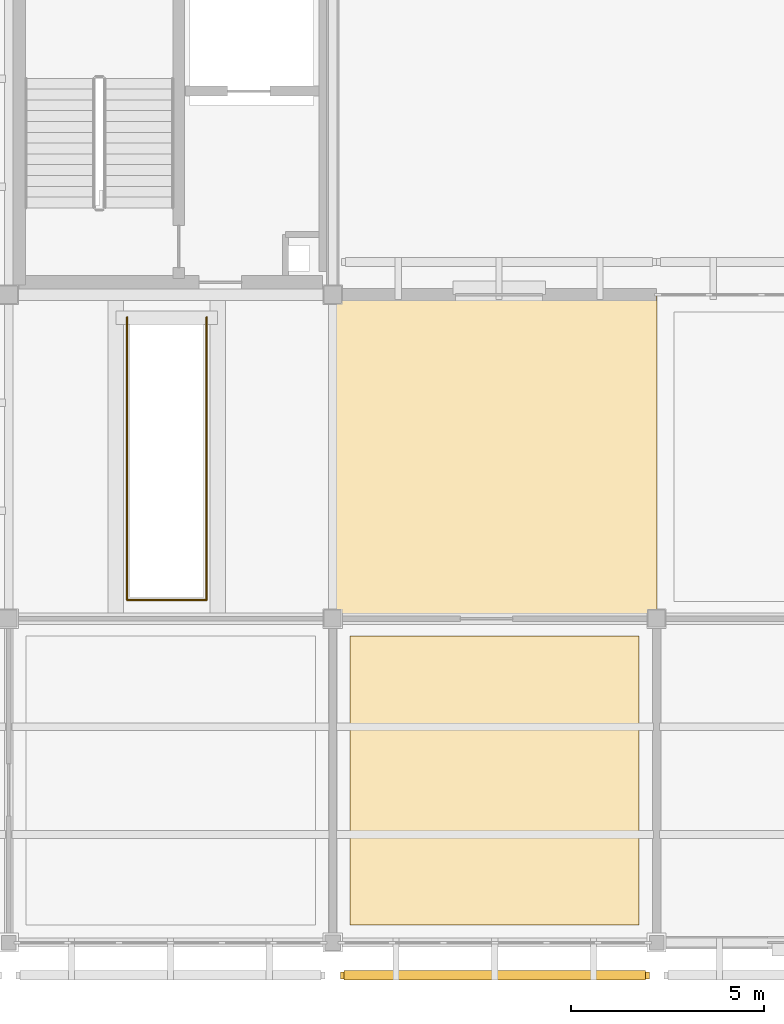
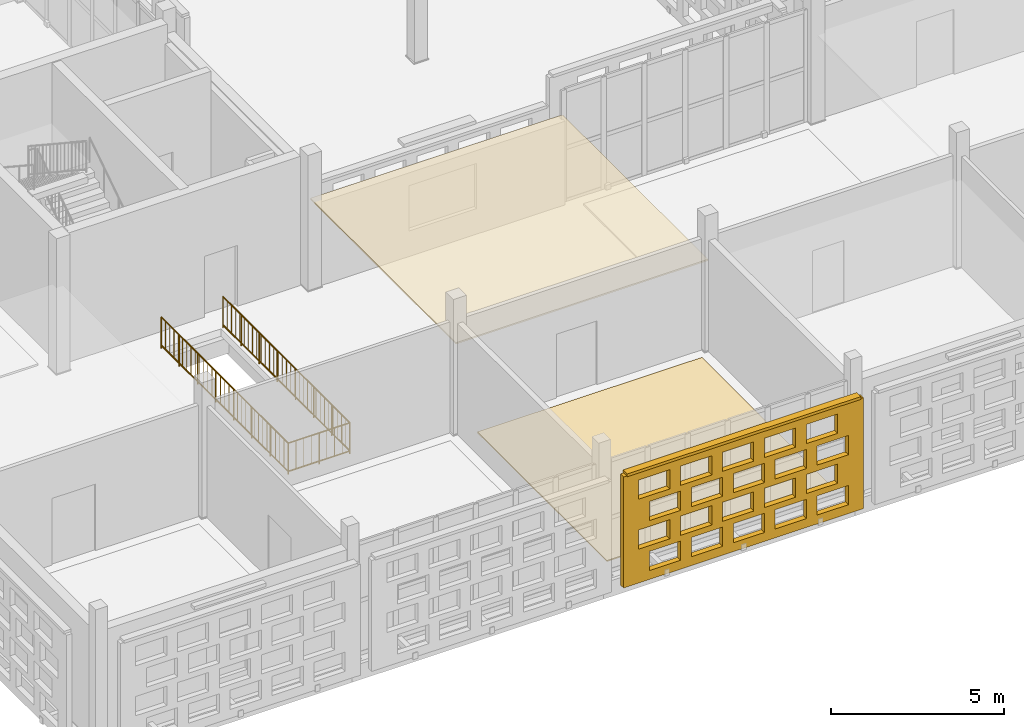
# One storey, part 135 of 203: 3 coverings, 3 railings, 1 shading device, 20 openings.
"""IFC4 building model written with IfcOpenShell, lengths in metres."""

from ifc_helpers import new_model, si_unit, direction, frame, frame_2d, origin, origin_2d, place, context, subcontext, project, spatial, rectangle, circle, extrude, material, layer, layer_set, type_object, element, save


model = new_model("IFC4")

# Units and contexts
model_context = context("Model", 3, precision=1e-05, world=origin(), true_north=direction((0.0, 1.0)))
body_context = subcontext(model_context, "Body", "Model", "MODEL_VIEW")
ifc_project = project(units=[si_unit("LENGTHUNIT", "METRE"), si_unit("AREAUNIT", "SQUARE_METRE"), si_unit("VOLUMEUNIT", "CUBIC_METRE"), si_unit("PLANEANGLEUNIT", "RADIAN"), si_unit("MASSUNIT", "GRAM", prefix="KILO")], contexts=[model_context])

# Site, building, storey
site_placement = place(None, origin())
site = spatial("IfcSite", under=ifc_project, at=site_placement, CompositionType="ELEMENT")
building_placement = place(site_placement, origin())
building = spatial("IfcBuilding", under=site, at=building_placement, Name="Varnapada Polytechnic", CompositionType="ELEMENT")
storey_placement = place(building_placement, frame((0.0, 0.0, 4.800048828125)))
storey = spatial("IfcBuildingStorey", under=building, at=storey_placement, Name="L01", CompositionType="ELEMENT", Elevation=4.800048828125)

# Covering
ifc_material_1 = material(Name="Acoustic Rubber Seminar Flooring")
ifc_layer_1 = layer(ifc_material_1, 0.0400390625)
ifc_layer_set_1 = layer_set([ifc_layer_1], Name="Acoustic Rubber Seminar Flooring")
covering_type_1 = type_object("IfcCoveringType", Name="Floor Finish FLR-06", PredefinedType="FLOORING", material=ifc_layer_set_1)
covering_1_placement = place(storey_placement, frame((29.39990234375, 4.199951171875, 0.0), z_axis=(0.0, 0.0, 1.0), x_axis=(1.0, 0.0, 0.0)))
element("IfcCovering", 1, at=covering_1_placement, inside=storey, type_object=covering_type_1, Name="L01 floor finish panel (4,1)", PredefinedType="FLOORING", context=body_context, shape_type="SweptSolid", body=[
    extrude(rectangle(XDim=7.5, YDim=7.5, at=origin_2d()), origin(), (0.0, 0.0, 1.0), 0.0400390625),
])

# Railings
ifc_material_2 = material(Name="Brushed Stainless Steel 316", Category="steel")
railing_type = type_object("IfcRailingType", Name="Stair Well Guard Rail SGR-01", PredefinedType="BALUSTRADE", material=ifc_material_2)
railing_1_placement = place(storey_placement, frame((19.8701171875, 8.8798828125, 0.0)))
element("IfcRailing", 2, at=railing_1_placement, inside=storey, type_object=railing_type, Name="L01 commons stair ST-F1 well guard 1", PredefinedType="BALUSTRADE", context=body_context, shape_type="SweptSolid", body=[
    extrude(circle(Radius=0.02392578125, at=origin_2d()), frame((0.0, 0.0, 1.09619140625), z_axis=(0.0, 1.0, 0.0), x_axis=(-1.0, 0.0, 0.0)), (0.0, 0.0, 1.0), 7.340087890625),
    extrude(circle(Radius=0.02392578125, at=origin_2d()), frame((0.0, 0.0, 0.10009765625), z_axis=(0.0, 1.0, 0.0), x_axis=(-1.0, 0.0, 0.0)), (0.0, 0.0, 1.0), 7.340087890625),
    extrude(circle(Radius=0.02099609375, at=origin_2d()), origin(), (0.0, 0.0, 1.0), 1.072021484375),
    extrude(circle(Radius=0.02099609375, at=origin_2d()), frame((0.0, 1.048583984375, 0.0)), (0.0, 0.0, 1.0), 1.072021484375),
    extrude(circle(Radius=0.02099609375, at=origin_2d()), frame((0.0, 2.09716796875, 0.0)), (0.0, 0.0, 1.0), 1.072021484375),
    extrude(circle(Radius=0.02099609375, at=origin_2d()), frame((0.0, 3.145751953125, 0.0)), (0.0, 0.0, 1.0), 1.072021484375),
    extrude(circle(Radius=0.02099609375, at=origin_2d()), frame((0.0, 4.1943359375, 0.0)), (0.0, 0.0, 1.0), 1.072021484375),
    extrude(circle(Radius=0.02099609375, at=origin_2d()), frame((0.0, 5.242919921875, 0.0)), (0.0, 0.0, 1.0), 1.072021484375),
    extrude(circle(Radius=0.02099609375, at=origin_2d()), frame((0.0, 6.29150390625, 0.0)), (0.0, 0.0, 1.0), 1.072021484375),
    extrude(circle(Radius=0.02099609375, at=origin_2d()), frame((0.0, 7.340087890625, 0.0)), (0.0, 0.0, 1.0), 1.072021484375),
    extrude(circle(Radius=0.010009765625, at=origin_2d()), frame((0.0, 0.24462890625, 0.10009765625)), (0.0, 0.0, 1.0), 0.971923828125),
    extrude(circle(Radius=0.010009765625, at=origin_2d()), frame((0.0, 0.4892578125, 0.10009765625)), (0.0, 0.0, 1.0), 0.971923828125),
    extrude(circle(Radius=0.010009765625, at=origin_2d()), frame((0.0, 0.73388671875, 0.10009765625)), (0.0, 0.0, 1.0), 0.971923828125),
    extrude(circle(Radius=0.010009765625, at=origin_2d()), frame((0.0, 0.978759765625, 0.10009765625)), (0.0, 0.0, 1.0), 0.971923828125),
    extrude(circle(Radius=0.010009765625, at=origin_2d()), frame((0.0, 1.223388671875, 0.10009765625)), (0.0, 0.0, 1.0), 0.971923828125),
    extrude(circle(Radius=0.010009765625, at=origin_2d()), frame((0.0, 1.468017578125, 0.10009765625)), (0.0, 0.0, 1.0), 0.971923828125),
    extrude(circle(Radius=0.010009765625, at=origin_2d()), frame((0.0, 1.712646484375, 0.10009765625)), (0.0, 0.0, 1.0), 0.971923828125),
    extrude(circle(Radius=0.010009765625, at=origin_2d()), frame((0.0, 1.957275390625, 0.10009765625)), (0.0, 0.0, 1.0), 0.971923828125),
    extrude(circle(Radius=0.010009765625, at=origin_2d()), frame((0.0, 2.2021484375, 0.10009765625)), (0.0, 0.0, 1.0), 0.971923828125),
    extrude(circle(Radius=0.010009765625, at=origin_2d()), frame((0.0, 2.44677734375, 0.10009765625)), (0.0, 0.0, 1.0), 0.971923828125),
    extrude(circle(Radius=0.010009765625, at=origin_2d()), frame((0.0, 2.69140625, 0.10009765625)), (0.0, 0.0, 1.0), 0.971923828125),
    extrude(circle(Radius=0.010009765625, at=origin_2d()), frame((0.0, 2.93603515625, 0.10009765625)), (0.0, 0.0, 1.0), 0.971923828125),
    extrude(circle(Radius=0.010009765625, at=origin_2d()), frame((0.0, 3.1806640625, 0.10009765625)), (0.0, 0.0, 1.0), 0.971923828125),
    extrude(circle(Radius=0.010009765625, at=origin_2d()), frame((0.0, 3.42529296875, 0.10009765625)), (0.0, 0.0, 1.0), 0.971923828125),
    extrude(circle(Radius=0.010009765625, at=origin_2d()), frame((0.0, 3.669921875, 0.10009765625)), (0.0, 0.0, 1.0), 0.971923828125),
    extrude(circle(Radius=0.010009765625, at=origin_2d()), frame((0.0, 3.914794921875, 0.10009765625)), (0.0, 0.0, 1.0), 0.971923828125),
    extrude(circle(Radius=0.010009765625, at=origin_2d()), frame((0.0, 4.159423828125, 0.10009765625)), (0.0, 0.0, 1.0), 0.971923828125),
    extrude(circle(Radius=0.010009765625, at=origin_2d()), frame((0.0, 4.404052734375, 0.10009765625)), (0.0, 0.0, 1.0), 0.971923828125),
    extrude(circle(Radius=0.010009765625, at=origin_2d()), frame((0.0, 4.648681640625, 0.10009765625)), (0.0, 0.0, 1.0), 0.971923828125),
    extrude(circle(Radius=0.010009765625, at=origin_2d()), frame((0.0, 4.893310546875, 0.10009765625)), (0.0, 0.0, 1.0), 0.971923828125),
    extrude(circle(Radius=0.010009765625, at=origin_2d()), frame((0.0, 5.13818359375, 0.10009765625)), (0.0, 0.0, 1.0), 0.971923828125),
    extrude(circle(Radius=0.010009765625, at=origin_2d()), frame((0.0, 5.3828125, 0.10009765625)), (0.0, 0.0, 1.0), 0.971923828125),
    extrude(circle(Radius=0.010009765625, at=origin_2d()), frame((0.0, 5.62744140625, 0.10009765625)), (0.0, 0.0, 1.0), 0.971923828125),
    extrude(circle(Radius=0.010009765625, at=origin_2d()), frame((0.0, 5.8720703125, 0.10009765625)), (0.0, 0.0, 1.0), 0.971923828125),
    extrude(circle(Radius=0.010009765625, at=origin_2d()), frame((0.0, 6.11669921875, 0.10009765625)), (0.0, 0.0, 1.0), 0.971923828125),
    extrude(circle(Radius=0.010009765625, at=origin_2d()), frame((0.0, 6.361328125, 0.10009765625)), (0.0, 0.0, 1.0), 0.971923828125),
    extrude(circle(Radius=0.010009765625, at=origin_2d()), frame((0.0, 6.60595703125, 0.10009765625)), (0.0, 0.0, 1.0), 0.971923828125),
    extrude(circle(Radius=0.010009765625, at=origin_2d()), frame((0.0, 6.850830078125, 0.10009765625)), (0.0, 0.0, 1.0), 0.971923828125),
    extrude(circle(Radius=0.010009765625, at=origin_2d()), frame((0.0, 7.095458984375, 0.10009765625)), (0.0, 0.0, 1.0), 0.971923828125),
])
railing_2_placement = place(storey_placement, frame((21.929931640625, 8.8798828125, 0.0)))
element("IfcRailing", 3, at=railing_2_placement, inside=storey, type_object=railing_type, Name="L01 commons stair ST-F1 well guard 2", PredefinedType="BALUSTRADE", context=body_context, shape_type="SweptSolid", body=[
    extrude(circle(Radius=0.02392578125, at=origin_2d()), frame((0.0, 0.0, 1.09619140625), z_axis=(0.0, 1.0, 0.0), x_axis=(-1.0, 0.0, 0.0)), (0.0, 0.0, 1.0), 7.340087890625),
    extrude(circle(Radius=0.02392578125, at=origin_2d()), frame((0.0, 0.0, 0.10009765625), z_axis=(0.0, 1.0, 0.0), x_axis=(-1.0, 0.0, 0.0)), (0.0, 0.0, 1.0), 7.340087890625),
    extrude(circle(Radius=0.02099609375, at=origin_2d()), origin(), (0.0, 0.0, 1.0), 1.072021484375),
    extrude(circle(Radius=0.02099609375, at=origin_2d()), frame((0.0, 1.048583984375, 0.0)), (0.0, 0.0, 1.0), 1.072021484375),
    extrude(circle(Radius=0.02099609375, at=origin_2d()), frame((0.0, 2.09716796875, 0.0)), (0.0, 0.0, 1.0), 1.072021484375),
    extrude(circle(Radius=0.02099609375, at=origin_2d()), frame((0.0, 3.145751953125, 0.0)), (0.0, 0.0, 1.0), 1.072021484375),
    extrude(circle(Radius=0.02099609375, at=origin_2d()), frame((0.0, 4.1943359375, 0.0)), (0.0, 0.0, 1.0), 1.072021484375),
    extrude(circle(Radius=0.02099609375, at=origin_2d()), frame((0.0, 5.242919921875, 0.0)), (0.0, 0.0, 1.0), 1.072021484375),
    extrude(circle(Radius=0.02099609375, at=origin_2d()), frame((0.0, 6.29150390625, 0.0)), (0.0, 0.0, 1.0), 1.072021484375),
    extrude(circle(Radius=0.02099609375, at=origin_2d()), frame((0.0, 7.340087890625, 0.0)), (0.0, 0.0, 1.0), 1.072021484375),
    extrude(circle(Radius=0.010009765625, at=origin_2d()), frame((0.0, 0.24462890625, 0.10009765625)), (0.0, 0.0, 1.0), 0.971923828125),
    extrude(circle(Radius=0.010009765625, at=origin_2d()), frame((0.0, 0.4892578125, 0.10009765625)), (0.0, 0.0, 1.0), 0.971923828125),
    extrude(circle(Radius=0.010009765625, at=origin_2d()), frame((0.0, 0.73388671875, 0.10009765625)), (0.0, 0.0, 1.0), 0.971923828125),
    extrude(circle(Radius=0.010009765625, at=origin_2d()), frame((0.0, 0.978759765625, 0.10009765625)), (0.0, 0.0, 1.0), 0.971923828125),
    extrude(circle(Radius=0.010009765625, at=origin_2d()), frame((0.0, 1.223388671875, 0.10009765625)), (0.0, 0.0, 1.0), 0.971923828125),
    extrude(circle(Radius=0.010009765625, at=origin_2d()), frame((0.0, 1.468017578125, 0.10009765625)), (0.0, 0.0, 1.0), 0.971923828125),
    extrude(circle(Radius=0.010009765625, at=origin_2d()), frame((0.0, 1.712646484375, 0.10009765625)), (0.0, 0.0, 1.0), 0.971923828125),
    extrude(circle(Radius=0.010009765625, at=origin_2d()), frame((0.0, 1.957275390625, 0.10009765625)), (0.0, 0.0, 1.0), 0.971923828125),
    extrude(circle(Radius=0.010009765625, at=origin_2d()), frame((0.0, 2.2021484375, 0.10009765625)), (0.0, 0.0, 1.0), 0.971923828125),
    extrude(circle(Radius=0.010009765625, at=origin_2d()), frame((0.0, 2.44677734375, 0.10009765625)), (0.0, 0.0, 1.0), 0.971923828125),
    extrude(circle(Radius=0.010009765625, at=origin_2d()), frame((0.0, 2.69140625, 0.10009765625)), (0.0, 0.0, 1.0), 0.971923828125),
    extrude(circle(Radius=0.010009765625, at=origin_2d()), frame((0.0, 2.93603515625, 0.10009765625)), (0.0, 0.0, 1.0), 0.971923828125),
    extrude(circle(Radius=0.010009765625, at=origin_2d()), frame((0.0, 3.1806640625, 0.10009765625)), (0.0, 0.0, 1.0), 0.971923828125),
    extrude(circle(Radius=0.010009765625, at=origin_2d()), frame((0.0, 3.42529296875, 0.10009765625)), (0.0, 0.0, 1.0), 0.971923828125),
    extrude(circle(Radius=0.010009765625, at=origin_2d()), frame((0.0, 3.669921875, 0.10009765625)), (0.0, 0.0, 1.0), 0.971923828125),
    extrude(circle(Radius=0.010009765625, at=origin_2d()), frame((0.0, 3.914794921875, 0.10009765625)), (0.0, 0.0, 1.0), 0.971923828125),
    extrude(circle(Radius=0.010009765625, at=origin_2d()), frame((0.0, 4.159423828125, 0.10009765625)), (0.0, 0.0, 1.0), 0.971923828125),
    extrude(circle(Radius=0.010009765625, at=origin_2d()), frame((0.0, 4.404052734375, 0.10009765625)), (0.0, 0.0, 1.0), 0.971923828125),
    extrude(circle(Radius=0.010009765625, at=origin_2d()), frame((0.0, 4.648681640625, 0.10009765625)), (0.0, 0.0, 1.0), 0.971923828125),
    extrude(circle(Radius=0.010009765625, at=origin_2d()), frame((0.0, 4.893310546875, 0.10009765625)), (0.0, 0.0, 1.0), 0.971923828125),
    extrude(circle(Radius=0.010009765625, at=origin_2d()), frame((0.0, 5.13818359375, 0.10009765625)), (0.0, 0.0, 1.0), 0.971923828125),
    extrude(circle(Radius=0.010009765625, at=origin_2d()), frame((0.0, 5.3828125, 0.10009765625)), (0.0, 0.0, 1.0), 0.971923828125),
    extrude(circle(Radius=0.010009765625, at=origin_2d()), frame((0.0, 5.62744140625, 0.10009765625)), (0.0, 0.0, 1.0), 0.971923828125),
    extrude(circle(Radius=0.010009765625, at=origin_2d()), frame((0.0, 5.8720703125, 0.10009765625)), (0.0, 0.0, 1.0), 0.971923828125),
    extrude(circle(Radius=0.010009765625, at=origin_2d()), frame((0.0, 6.11669921875, 0.10009765625)), (0.0, 0.0, 1.0), 0.971923828125),
    extrude(circle(Radius=0.010009765625, at=origin_2d()), frame((0.0, 6.361328125, 0.10009765625)), (0.0, 0.0, 1.0), 0.971923828125),
    extrude(circle(Radius=0.010009765625, at=origin_2d()), frame((0.0, 6.60595703125, 0.10009765625)), (0.0, 0.0, 1.0), 0.971923828125),
    extrude(circle(Radius=0.010009765625, at=origin_2d()), frame((0.0, 6.850830078125, 0.10009765625)), (0.0, 0.0, 1.0), 0.971923828125),
    extrude(circle(Radius=0.010009765625, at=origin_2d()), frame((0.0, 7.095458984375, 0.10009765625)), (0.0, 0.0, 1.0), 0.971923828125),
])
railing_3_placement = place(storey_placement, frame((19.8701171875, 8.8798828125, 0.0)))
element("IfcRailing", 4, at=railing_3_placement, inside=storey, type_object=railing_type, Name="L01 commons stair ST-F1 well guard 3", PredefinedType="BALUSTRADE", context=body_context, shape_type="SweptSolid", body=[
    extrude(circle(Radius=0.02392578125, at=origin_2d()), frame((0.0, 0.0, 1.09619140625), z_axis=(1.0, 0.0, 0.0), x_axis=(0.0, 1.0, 0.0)), (0.0, 0.0, 1.0), 2.059814453125),
    extrude(circle(Radius=0.02392578125, at=origin_2d()), frame((0.0, 0.0, 0.10009765625), z_axis=(1.0, 0.0, 0.0), x_axis=(0.0, 1.0, 0.0)), (0.0, 0.0, 1.0), 2.059814453125),
    extrude(circle(Radius=0.02099609375, at=origin_2d()), origin(), (0.0, 0.0, 1.0), 1.072021484375),
    extrude(circle(Radius=0.02099609375, at=origin_2d()), frame((1.02978515625, 0.0, 0.0)), (0.0, 0.0, 1.0), 1.072021484375),
    extrude(circle(Radius=0.02099609375, at=origin_2d()), frame((2.059814453125, 0.0, 0.0)), (0.0, 0.0, 1.0), 1.072021484375),
    extrude(circle(Radius=0.010009765625, at=origin_2d()), frame((0.257568359375, 0.0, 0.10009765625)), (0.0, 0.0, 1.0), 0.971923828125),
    extrude(circle(Radius=0.010009765625, at=origin_2d()), frame((0.514892578125, 0.0, 0.10009765625)), (0.0, 0.0, 1.0), 0.971923828125),
    extrude(circle(Radius=0.010009765625, at=origin_2d()), frame((0.7724609375, 0.0, 0.10009765625)), (0.0, 0.0, 1.0), 0.971923828125),
    extrude(circle(Radius=0.010009765625, at=origin_2d()), frame((1.02978515625, 0.0, 0.10009765625)), (0.0, 0.0, 1.0), 0.971923828125),
    extrude(circle(Radius=0.010009765625, at=origin_2d()), frame((1.287353515625, 0.0, 0.10009765625)), (0.0, 0.0, 1.0), 0.971923828125),
    extrude(circle(Radius=0.010009765625, at=origin_2d()), frame((1.544921875, 0.0, 0.10009765625)), (0.0, 0.0, 1.0), 0.971923828125),
    extrude(circle(Radius=0.010009765625, at=origin_2d()), frame((1.80224609375, 0.0, 0.10009765625)), (0.0, 0.0, 1.0), 0.971923828125),
])

# Covering
ifc_material_3 = material(Name="Perforated Timber Slatted Baffle Ceiling", Category="wood")
ifc_layer_2 = layer(ifc_material_3, 0.050048828125)
ifc_layer_set_2 = layer_set([ifc_layer_2], Name="Perforated Timber Slatted Baffle Ceiling")
covering_type_2 = type_object("IfcCoveringType", Name="Suspended Ceiling CLG-02", PredefinedType="CEILING", material=ifc_layer_set_2)
covering_2_placement = place(storey_placement, frame((29.39990234375, 12.60009765625, 3.02490234375), z_axis=(0.0, 0.0, 1.0), x_axis=(1.0, 0.0, 0.0)))
element("IfcCovering", 5, at=covering_2_placement, inside=storey, type_object=covering_type_2, Name="L01 suspended acoustic ceiling (4,2)", PredefinedType="CEILING", context=body_context, shape_type="SweptSolid", body=[
    extrude(rectangle(XDim=8.419921875, YDim=8.419921875, at=origin_2d()), origin(), (0.0, 0.0, 1.0), 0.050048828125),
])

# Covering, openings
ifc_material_4 = material(Name="Earth-toned architectural terracotta screen block", Category="masonry")
ifc_layer_3 = layer(ifc_material_4, 0.1201171875)
ifc_layer_set_3 = layer_set([ifc_layer_3], Name="Earth-toned architectural terracotta screen block")
covering_type_3 = type_object("IfcCoveringType", Name="Terracotta Screen Cladding CLD-01", PredefinedType="CLADDING", material=ifc_layer_set_3)
covering_3_placement = place(storey_placement, frame((33.409912109375, -0.85009765625, 0.0), z_axis=(0.0, 0.0, 1.0), x_axis=(-1.0, 0.0, 0.0)))
covering_3 = element("IfcCovering", 6, at=covering_3_placement, inside=storey, type_object=covering_type_3, Name="L01 perforated terracotta block screen (24)", PredefinedType="CLADDING", context=body_context, shape_type="SweptSolid", body=[
    extrude(rectangle(XDim=8.010009765625, YDim=0.179931640625, at=frame_2d((4.0048828125, 0.0))), origin(), (0.0, 0.0, 1.0), 3.919921875),
])
opening_1_placement = place(covering_3_placement, frame((0.5048828125, 0.0, 0.313720703125)))
element("IfcOpeningElement", 7, at=opening_1_placement, cuts=covering_3, Name="Screen perforation TBS-L01-023.1", PredefinedType="OPENING", context=body_context, shape_type="SweptSolid", body=[
    extrude(rectangle(XDim=1.0400390625, YDim=0.679931640625, at=frame_2d((0.52001953125, 0.33984375))), frame((0.0, 0.099853515625, 0.0), z_axis=(0.0, -1.0, 0.0), x_axis=(1.0, 0.0, 0.0)), (0.0, 0.0, 1.0), 0.199951171875),
])
opening_2_placement = place(covering_3_placement, frame((1.905029296875, 0.0, 0.313720703125)))
element("IfcOpeningElement", 8, at=opening_2_placement, cuts=covering_3, Name="Screen perforation TBS-L01-023.2", PredefinedType="OPENING", context=body_context, shape_type="SweptSolid", body=[
    extrude(rectangle(XDim=1.0400390625, YDim=0.679931640625, at=frame_2d((0.52001953125, 0.33984375))), frame((0.0, 0.099853515625, 0.0), z_axis=(0.0, -1.0, 0.0), x_axis=(1.0, 0.0, 0.0)), (0.0, 0.0, 1.0), 0.199951171875),
])
opening_3_placement = place(covering_3_placement, frame((3.304931640625, 0.0, 0.313720703125)))
element("IfcOpeningElement", 9, at=opening_3_placement, cuts=covering_3, Name="Screen perforation TBS-L01-023.3", PredefinedType="OPENING", context=body_context, shape_type="SweptSolid", body=[
    extrude(rectangle(XDim=1.0400390625, YDim=0.679931640625, at=frame_2d((0.52001953125, 0.33984375))), frame((0.0, 0.099853515625, 0.0), z_axis=(0.0, -1.0, 0.0), x_axis=(1.0, 0.0, 0.0)), (0.0, 0.0, 1.0), 0.199951171875),
])
opening_4_placement = place(covering_3_placement, frame((4.705078125, 0.0, 0.313720703125)))
element("IfcOpeningElement", 10, at=opening_4_placement, cuts=covering_3, Name="Screen perforation TBS-L01-023.4", PredefinedType="OPENING", context=body_context, shape_type="SweptSolid", body=[
    extrude(rectangle(XDim=1.0400390625, YDim=0.679931640625, at=frame_2d((0.52001953125, 0.33984375))), frame((0.0, 0.099853515625, 0.0), z_axis=(0.0, -1.0, 0.0), x_axis=(1.0, 0.0, 0.0)), (0.0, 0.0, 1.0), 0.199951171875),
])
opening_5_placement = place(covering_3_placement, frame((6.10498046875, 0.0, 0.313720703125)))
element("IfcOpeningElement", 11, at=opening_5_placement, cuts=covering_3, Name="Screen perforation TBS-L01-023.5", PredefinedType="OPENING", context=body_context, shape_type="SweptSolid", body=[
    extrude(rectangle(XDim=1.0400390625, YDim=0.679931640625, at=frame_2d((0.52001953125, 0.33984375))), frame((0.0, 0.099853515625, 0.0), z_axis=(0.0, -1.0, 0.0), x_axis=(1.0, 0.0, 0.0)), (0.0, 0.0, 1.0), 0.199951171875),
])
opening_6_placement = place(covering_3_placement, frame((0.864990234375, 0.0, 1.195556640625)))
element("IfcOpeningElement", 12, at=opening_6_placement, cuts=covering_3, Name="Screen perforation TBS-L01-023.6", PredefinedType="OPENING", context=body_context, shape_type="SweptSolid", body=[
    extrude(rectangle(XDim=1.0400390625, YDim=0.679931640625, at=frame_2d((0.52001953125, 0.33984375))), frame((0.0, 0.099853515625, 0.0), z_axis=(0.0, -1.0, 0.0), x_axis=(1.0, 0.0, 0.0)), (0.0, 0.0, 1.0), 0.199951171875),
])
opening_7_placement = place(covering_3_placement, frame((2.264892578125, 0.0, 1.195556640625)))
element("IfcOpeningElement", 13, at=opening_7_placement, cuts=covering_3, Name="Screen perforation TBS-L01-023.7", PredefinedType="OPENING", context=body_context, shape_type="SweptSolid", body=[
    extrude(rectangle(XDim=1.0400390625, YDim=0.679931640625, at=frame_2d((0.52001953125, 0.33984375))), frame((0.0, 0.099853515625, 0.0), z_axis=(0.0, -1.0, 0.0), x_axis=(1.0, 0.0, 0.0)), (0.0, 0.0, 1.0), 0.199951171875),
])
opening_8_placement = place(covering_3_placement, frame((3.6650390625, 0.0, 1.195556640625)))
element("IfcOpeningElement", 14, at=opening_8_placement, cuts=covering_3, Name="Screen perforation TBS-L01-023.8", PredefinedType="OPENING", context=body_context, shape_type="SweptSolid", body=[
    extrude(rectangle(XDim=1.0400390625, YDim=0.679931640625, at=frame_2d((0.52001953125, 0.33984375))), frame((0.0, 0.099853515625, 0.0), z_axis=(0.0, -1.0, 0.0), x_axis=(1.0, 0.0, 0.0)), (0.0, 0.0, 1.0), 0.199951171875),
])
opening_9_placement = place(covering_3_placement, frame((5.06494140625, 0.0, 1.195556640625)))
element("IfcOpeningElement", 15, at=opening_9_placement, cuts=covering_3, Name="Screen perforation TBS-L01-023.9", PredefinedType="OPENING", context=body_context, shape_type="SweptSolid", body=[
    extrude(rectangle(XDim=1.0400390625, YDim=0.679931640625, at=frame_2d((0.52001953125, 0.33984375))), frame((0.0, 0.099853515625, 0.0), z_axis=(0.0, -1.0, 0.0), x_axis=(1.0, 0.0, 0.0)), (0.0, 0.0, 1.0), 0.199951171875),
])
opening_10_placement = place(covering_3_placement, frame((6.465087890625, 0.0, 1.195556640625)))
element("IfcOpeningElement", 16, at=opening_10_placement, cuts=covering_3, Name="Screen perforation TBS-L01-023.10", PredefinedType="OPENING", context=body_context, shape_type="SweptSolid", body=[
    extrude(rectangle(XDim=1.0400390625, YDim=0.679931640625, at=frame_2d((0.52001953125, 0.33984375))), frame((0.0, 0.099853515625, 0.0), z_axis=(0.0, -1.0, 0.0), x_axis=(1.0, 0.0, 0.0)), (0.0, 0.0, 1.0), 0.199951171875),
])
opening_11_placement = place(covering_3_placement, frame((0.5048828125, 0.0, 2.07763671875)))
element("IfcOpeningElement", 17, at=opening_11_placement, cuts=covering_3, Name="Screen perforation TBS-L01-023.11", PredefinedType="OPENING", context=body_context, shape_type="SweptSolid", body=[
    extrude(rectangle(XDim=1.0400390625, YDim=0.679931640625, at=frame_2d((0.52001953125, 0.33984375))), frame((0.0, 0.099853515625, 0.0), z_axis=(0.0, -1.0, 0.0), x_axis=(1.0, 0.0, 0.0)), (0.0, 0.0, 1.0), 0.199951171875),
])
opening_12_placement = place(covering_3_placement, frame((1.905029296875, 0.0, 2.07763671875)))
element("IfcOpeningElement", 18, at=opening_12_placement, cuts=covering_3, Name="Screen perforation TBS-L01-023.12", PredefinedType="OPENING", context=body_context, shape_type="SweptSolid", body=[
    extrude(rectangle(XDim=1.0400390625, YDim=0.679931640625, at=frame_2d((0.52001953125, 0.33984375))), frame((0.0, 0.099853515625, 0.0), z_axis=(0.0, -1.0, 0.0), x_axis=(1.0, 0.0, 0.0)), (0.0, 0.0, 1.0), 0.199951171875),
])
opening_13_placement = place(covering_3_placement, frame((3.304931640625, 0.0, 2.07763671875)))
element("IfcOpeningElement", 19, at=opening_13_placement, cuts=covering_3, Name="Screen perforation TBS-L01-023.13", PredefinedType="OPENING", context=body_context, shape_type="SweptSolid", body=[
    extrude(rectangle(XDim=1.0400390625, YDim=0.679931640625, at=frame_2d((0.52001953125, 0.33984375))), frame((0.0, 0.099853515625, 0.0), z_axis=(0.0, -1.0, 0.0), x_axis=(1.0, 0.0, 0.0)), (0.0, 0.0, 1.0), 0.199951171875),
])
opening_14_placement = place(covering_3_placement, frame((4.705078125, 0.0, 2.07763671875)))
element("IfcOpeningElement", 20, at=opening_14_placement, cuts=covering_3, Name="Screen perforation TBS-L01-023.14", PredefinedType="OPENING", context=body_context, shape_type="SweptSolid", body=[
    extrude(rectangle(XDim=1.0400390625, YDim=0.679931640625, at=frame_2d((0.52001953125, 0.33984375))), frame((0.0, 0.099853515625, 0.0), z_axis=(0.0, -1.0, 0.0), x_axis=(1.0, 0.0, 0.0)), (0.0, 0.0, 1.0), 0.199951171875),
])
opening_15_placement = place(covering_3_placement, frame((6.10498046875, 0.0, 2.07763671875)))
element("IfcOpeningElement", 21, at=opening_15_placement, cuts=covering_3, Name="Screen perforation TBS-L01-023.15", PredefinedType="OPENING", context=body_context, shape_type="SweptSolid", body=[
    extrude(rectangle(XDim=1.0400390625, YDim=0.679931640625, at=frame_2d((0.52001953125, 0.33984375))), frame((0.0, 0.099853515625, 0.0), z_axis=(0.0, -1.0, 0.0), x_axis=(1.0, 0.0, 0.0)), (0.0, 0.0, 1.0), 0.199951171875),
])
opening_16_placement = place(covering_3_placement, frame((0.864990234375, 0.0, 2.959716796875)))
element("IfcOpeningElement", 22, at=opening_16_placement, cuts=covering_3, Name="Screen perforation TBS-L01-023.16", PredefinedType="OPENING", context=body_context, shape_type="SweptSolid", body=[
    extrude(rectangle(XDim=1.0400390625, YDim=0.679931640625, at=frame_2d((0.52001953125, 0.33984375))), frame((0.0, 0.099853515625, 0.0), z_axis=(0.0, -1.0, 0.0), x_axis=(1.0, 0.0, 0.0)), (0.0, 0.0, 1.0), 0.199951171875),
])
opening_17_placement = place(covering_3_placement, frame((2.264892578125, 0.0, 2.959716796875)))
element("IfcOpeningElement", 23, at=opening_17_placement, cuts=covering_3, Name="Screen perforation TBS-L01-023.17", PredefinedType="OPENING", context=body_context, shape_type="SweptSolid", body=[
    extrude(rectangle(XDim=1.0400390625, YDim=0.679931640625, at=frame_2d((0.52001953125, 0.33984375))), frame((0.0, 0.099853515625, 0.0), z_axis=(0.0, -1.0, 0.0), x_axis=(1.0, 0.0, 0.0)), (0.0, 0.0, 1.0), 0.199951171875),
])
opening_18_placement = place(covering_3_placement, frame((3.6650390625, 0.0, 2.959716796875)))
element("IfcOpeningElement", 24, at=opening_18_placement, cuts=covering_3, Name="Screen perforation TBS-L01-023.18", PredefinedType="OPENING", context=body_context, shape_type="SweptSolid", body=[
    extrude(rectangle(XDim=1.0400390625, YDim=0.679931640625, at=frame_2d((0.52001953125, 0.33984375))), frame((0.0, 0.099853515625, 0.0), z_axis=(0.0, -1.0, 0.0), x_axis=(1.0, 0.0, 0.0)), (0.0, 0.0, 1.0), 0.199951171875),
])
opening_19_placement = place(covering_3_placement, frame((5.06494140625, 0.0, 2.959716796875)))
element("IfcOpeningElement", 25, at=opening_19_placement, cuts=covering_3, Name="Screen perforation TBS-L01-023.19", PredefinedType="OPENING", context=body_context, shape_type="SweptSolid", body=[
    extrude(rectangle(XDim=1.0400390625, YDim=0.679931640625, at=frame_2d((0.52001953125, 0.33984375))), frame((0.0, 0.099853515625, 0.0), z_axis=(0.0, -1.0, 0.0), x_axis=(1.0, 0.0, 0.0)), (0.0, 0.0, 1.0), 0.199951171875),
])
opening_20_placement = place(covering_3_placement, frame((6.465087890625, 0.0, 2.959716796875)))
element("IfcOpeningElement", 26, at=opening_20_placement, cuts=covering_3, Name="Screen perforation TBS-L01-023.20", PredefinedType="OPENING", context=body_context, shape_type="SweptSolid", body=[
    extrude(rectangle(XDim=1.0400390625, YDim=0.679931640625, at=frame_2d((0.52001953125, 0.33984375))), frame((0.0, 0.099853515625, 0.0), z_axis=(0.0, -1.0, 0.0), x_axis=(1.0, 0.0, 0.0)), (0.0, 0.0, 1.0), 0.199951171875),
])

# Shading device
ifc_layer_4 = layer(ifc_material_4, 0.179931640625)
ifc_layer_set_4 = layer_set([ifc_layer_4], Name="Earth-toned architectural terracotta screen block")
shading_device_type = type_object("IfcShadingDeviceType", Name="Terracotta Screen SCR-02", PredefinedType="USERDEFINED", material=ifc_layer_set_4)
shading_device_placement = place(storey_placement, frame((29.405029296875, -0.85009765625, 3.909912109375), z_axis=(0.0, 0.0, 1.0), x_axis=(-1.0, 0.0, 0.0)))
element("IfcShadingDevice", 27, at=shading_device_placement, inside=storey, type_object=shading_device_type, Name="L01 perforated terracotta screen hood 105", ObjectType="SCREEN", PredefinedType="USERDEFINED", context=body_context, shape_type="SweptSolid", body=[
    extrude(rectangle(XDim=7.81005859375, YDim=0.239990234375, at=origin_2d()), origin(), (0.0, 0.0, 1.0), 0.10009765625),
])

save(model, "model.ifc")
